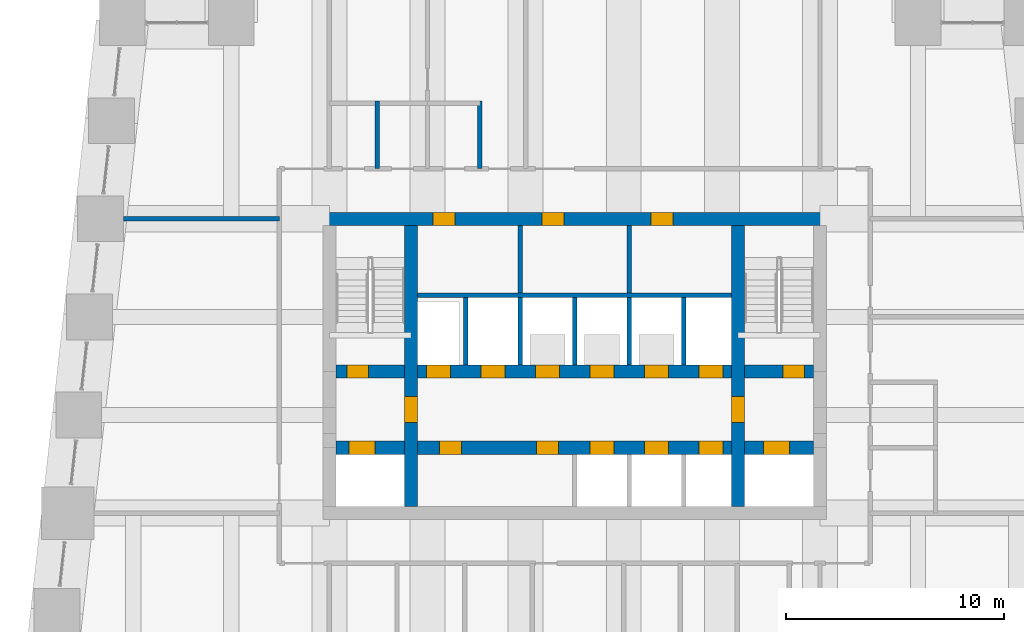
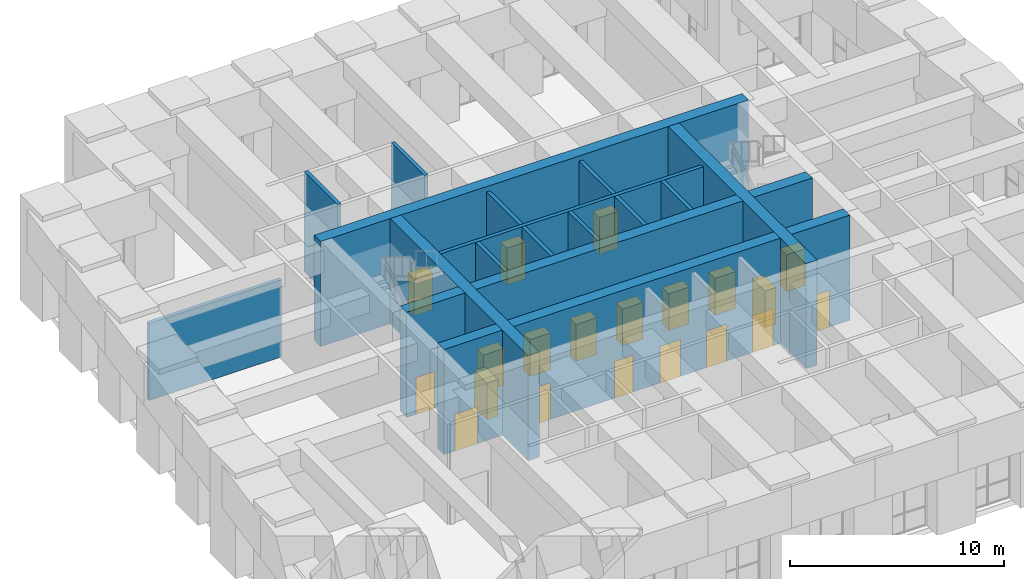
# One storey, part 12 of 17: 20 doors, 16 walls, 20 openings.
"""IFC4 building model written with IfcOpenShell, lengths in metres."""

from ifc_helpers import new_model, si_unit, direction, frame, frame_2d, origin, place, context, subcontext, project, spatial, rectangle, extrude, material, layer, layer_set, type_object, element, fill, save


model = new_model("IFC4")

# Units and contexts
model_context = context("Model", 3, precision=1e-05, world=origin(), true_north=direction((0.0, 1.0)))
body_context = subcontext(model_context, "Body", "Model", "MODEL_VIEW")
ifc_project = project(units=[si_unit("LENGTHUNIT", "METRE"), si_unit("AREAUNIT", "SQUARE_METRE"), si_unit("VOLUMEUNIT", "CUBIC_METRE"), si_unit("PLANEANGLEUNIT", "RADIAN"), si_unit("MASSUNIT", "GRAM", prefix="KILO")], contexts=[model_context])

# Site, building, storey
site_placement = place(None, origin())
site = spatial("IfcSite", under=ifc_project, at=site_placement, CompositionType="ELEMENT")
building_placement = place(site_placement, origin())
building = spatial("IfcBuilding", under=site, at=building_placement, Name="Kilele Tower Hotel", CompositionType="ELEMENT")
storey_placement = place(building_placement, frame((0.0, 0.0, 145.89990234375)))
storey = spatial("IfcBuildingStorey", under=building, at=storey_placement, Name="L38", CompositionType="ELEMENT", Elevation=145.89990234375)

# Wall, openings, doors
ifc_material_1 = material(Name="Concrete C60/75", Category="concrete")
ifc_layer_1 = layer(ifc_material_1, 0.60009765625)
ifc_layer_set_1 = layer_set([ifc_layer_1], Name="Concrete C60/75")
wall_type_1 = type_object("IfcWallType", Name="Core wall 600 C60/75", PredefinedType="SHEAR", material=ifc_layer_set_1)
wall_1_placement = place(storey_placement, frame((36.300048828125, 27.0, 0.0), z_axis=(0.0, 0.0, 1.0), x_axis=(-1.0, 0.0, 0.0)))
wall_1 = element("IfcWall", 1, at=wall_1_placement, inside=storey, type_object=wall_type_1, Name="Core wall N L38", PredefinedType="SHEAR", context=body_context, shape_type="SweptSolid", body=[
    extrude(rectangle(XDim=23.10009765625, YDim=0.60009765625, at=frame_2d((11.550048828125, 0.0))), origin(), (0.0, 0.0, 1.0), 6.0),
])
opening_1_placement = place(wall_1_placement, frame((17.050048828125, 0.0, 0.0)))
opening_1 = element("IfcOpeningElement", 2, at=opening_1_placement, cuts=wall_1, Name="Opening D6", PredefinedType="OPENING", context=body_context, shape_type="SweptSolid", body=[
    extrude(rectangle(XDim=1.0, YDim=2.10009765625, at=frame_2d((0.5, 1.050048828125))), frame((0.0, 0.31005859375, 0.0), z_axis=(0.0, -1.0, 0.0), x_axis=(1.0, 0.0, 0.0)), (0.0, 0.0, 1.0), 0.6201171875),
])
opening_2_placement = place(wall_1_placement, frame((12.050048828125, 0.0, 0.0)))
opening_2 = element("IfcOpeningElement", 3, at=opening_2_placement, cuts=wall_1, Name="Opening D6", PredefinedType="OPENING", context=body_context, shape_type="SweptSolid", body=[
    extrude(rectangle(XDim=1.0, YDim=2.10009765625, at=frame_2d((0.5, 1.050048828125))), frame((0.0, 0.31005859375, 0.0), z_axis=(0.0, -1.0, 0.0), x_axis=(1.0, 0.0, 0.0)), (0.0, 0.0, 1.0), 0.6201171875),
])
opening_3_placement = place(wall_1_placement, frame((7.050048828125, 0.0, 0.0)))
opening_3 = element("IfcOpeningElement", 4, at=opening_3_placement, cuts=wall_1, Name="Opening D6", PredefinedType="OPENING", context=body_context, shape_type="SweptSolid", body=[
    extrude(rectangle(XDim=1.0, YDim=2.10009765625, at=frame_2d((0.5, 1.050048828125))), frame((0.0, 0.31005859375, 0.0), z_axis=(0.0, -1.0, 0.0), x_axis=(1.0, 0.0, 0.0)), (0.0, 0.0, 1.0), 0.6201171875),
])
ifc_material_2 = material(Name="Timber door leaf in hardwood frame", Category="wood")
door_type_1 = type_object("IfcDoorType", Name="Riser door 1000", OperationType="SINGLE_SWING_LEFT", PredefinedType="DOOR", material=ifc_material_2)
door_1_placement = place(opening_1_placement, origin())
door_1 = element("IfcDoor", 5, at=door_1_placement, inside=storey, type_object=door_type_1, Name="Service riser door L38", OperationType="SINGLE_SWING_RIGHT", OverallHeight=2.10009765625, OverallWidth=1.0, PredefinedType="DOOR", context=body_context, shape_type="SweptSolid", body=[
    extrude(rectangle(XDim=1.0, YDim=2.10009765625, at=frame_2d((0.5, 1.050048828125))), frame((0.0, 0.2998046875, 0.0), z_axis=(0.0, -1.0, 0.0), x_axis=(1.0, 0.0, 0.0)), (0.0, 0.0, 1.0), 0.599609375),
])
fill(opening_1, door_1)
door_2_placement = place(opening_2_placement, origin())
door_2 = element("IfcDoor", 6, at=door_2_placement, inside=storey, type_object=door_type_1, Name="IT and comms room door L38", OperationType="SINGLE_SWING_RIGHT", OverallHeight=2.10009765625, OverallWidth=1.0, PredefinedType="DOOR", context=body_context, shape_type="SweptSolid", body=[
    extrude(rectangle(XDim=1.0, YDim=2.10009765625, at=frame_2d((0.5, 1.050048828125))), frame((0.0, 0.2998046875, 0.0), z_axis=(0.0, -1.0, 0.0), x_axis=(1.0, 0.0, 0.0)), (0.0, 0.0, 1.0), 0.599609375),
])
fill(opening_2, door_2)
door_3_placement = place(opening_3_placement, origin())
door_3 = element("IfcDoor", 7, at=door_3_placement, inside=storey, type_object=door_type_1, Name="Electrical riser door L38", OperationType="SINGLE_SWING_RIGHT", OverallHeight=2.10009765625, OverallWidth=1.0, PredefinedType="DOOR", context=body_context, shape_type="SweptSolid", body=[
    extrude(rectangle(XDim=1.0, YDim=2.10009765625, at=frame_2d((0.5, 1.050048828125))), frame((0.0, 0.2998046875, 0.0), z_axis=(0.0, -1.0, 0.0), x_axis=(1.0, 0.0, 0.0)), (0.0, 0.0, 1.0), 0.599609375),
])
fill(opening_3, door_3)

# Wall, opening, door
wall_2_placement = place(storey_placement, frame((17.25, 13.800048828125, 0.0), z_axis=(0.0, 0.0, 1.0), x_axis=(0.0, 1.0, 0.0)))
wall_2 = element("IfcWall", 8, at=wall_2_placement, inside=storey, type_object=wall_type_1, Name="Core wall IW L38", PredefinedType="SHEAR", context=body_context, shape_type="SweptSolid", body=[
    extrude(rectangle(XDim=12.89990234375, YDim=0.60009765625, at=frame_2d((6.449951171875, 0.0))), origin(), (0.0, 0.0, 1.0), 6.0),
])
opening_4_placement = place(wall_2_placement, frame((3.85009765625, 0.0, 0.0)))
opening_4 = element("IfcOpeningElement", 9, at=opening_4_placement, cuts=wall_2, Name="Opening D4", PredefinedType="OPENING", context=body_context, shape_type="SweptSolid", body=[
    extrude(rectangle(XDim=1.199951171875, YDim=2.10009765625, at=frame_2d((0.60009765625, 1.050048828125))), frame((0.0, 0.31005859375, 0.0), z_axis=(0.0, -1.0, 0.0), x_axis=(1.0, 0.0, 0.0)), (0.0, 0.0, 1.0), 0.6201171875),
])
ifc_material_3 = material(Name="Timber door leaf in hardwood frame", Category="wood")
door_type_2 = type_object("IfcDoorType", Name="Firefighting lobby door 1200", OperationType="SINGLE_SWING_LEFT", PredefinedType="DOOR", material=ifc_material_3)
door_4_placement = place(opening_4_placement, origin())
door_4 = element("IfcDoor", 10, at=door_4_placement, inside=storey, type_object=door_type_2, Name="Lobby door L38", OperationType="SINGLE_SWING_LEFT", OverallHeight=2.10009765625, OverallWidth=1.199951171875, PredefinedType="DOOR", context=body_context, shape_type="SweptSolid", body=[
    extrude(rectangle(XDim=1.199951171875, YDim=2.10009765625, at=frame_2d((0.60009765625, 1.050048828125))), frame((0.0, 0.2998046875, 0.0), z_axis=(0.0, -1.0, 0.0), x_axis=(1.0, 0.0, 0.0)), (0.0, 0.0, 1.0), 0.599609375),
])
fill(opening_4, door_4)

wall_3_placement = place(storey_placement, frame((32.25, 13.800048828125, 0.0), z_axis=(0.0, 0.0, 1.0), x_axis=(0.0, 1.0, 0.0)))
wall_3 = element("IfcWall", 11, at=wall_3_placement, inside=storey, type_object=wall_type_1, Name="Core wall IE L38", PredefinedType="SHEAR", context=body_context, shape_type="SweptSolid", body=[
    extrude(rectangle(XDim=12.89990234375, YDim=0.60009765625, at=frame_2d((6.449951171875, 0.0))), origin(), (0.0, 0.0, 1.0), 6.0),
])
opening_5_placement = place(wall_3_placement, frame((5.050048828125, 0.0, 0.0), z_axis=(0.0, 0.0, 1.0), x_axis=(-1.0, 0.0, 0.0)))
opening_5 = element("IfcOpeningElement", 12, at=opening_5_placement, cuts=wall_3, Name="Opening D4", PredefinedType="OPENING", context=body_context, shape_type="SweptSolid", body=[
    extrude(rectangle(XDim=1.199951171875, YDim=2.10009765625, at=frame_2d((0.60009765625, 1.050048828125))), frame((0.0, 0.31005859375, 0.0), z_axis=(0.0, -1.0, 0.0), x_axis=(1.0, 0.0, 0.0)), (0.0, 0.0, 1.0), 0.6201171875),
])
door_5_placement = place(opening_5_placement, origin())
door_5 = element("IfcDoor", 13, at=door_5_placement, inside=storey, type_object=door_type_2, Name="Lobby door L38", OperationType="SINGLE_SWING_RIGHT", OverallHeight=2.10009765625, OverallWidth=1.199951171875, PredefinedType="DOOR", context=body_context, shape_type="SweptSolid", body=[
    extrude(rectangle(XDim=1.199951171875, YDim=2.10009765625, at=frame_2d((0.60009765625, 1.050048828125))), frame((0.0, 0.2998046875, 0.0), z_axis=(0.0, -1.0, 0.0), x_axis=(1.0, 0.0, 0.0)), (0.0, 0.0, 1.0), 0.599609375),
])
fill(opening_5, door_5)

# Wall, openings, doors
wall_4_placement = place(storey_placement, frame((13.800048828125, 16.5, 0.0), z_axis=(0.0, 0.0, 1.0), x_axis=(1.0, 0.0, 0.0)))
wall_4 = element("IfcWall", 14, at=wall_4_placement, inside=storey, type_object=wall_type_1, Name="Core wall LS L38", PredefinedType="SHEAR", context=body_context, shape_type="SweptSolid", body=[
    extrude(rectangle(XDim=21.89990234375, YDim=0.60009765625, at=frame_2d((10.949951171875, 0.0))), origin(), (0.0, 0.0, 1.0), 6.0),
])
opening_6_placement = place(wall_4_placement, frame((11.64990234375, 0.0, 0.0)))
opening_6 = element("IfcOpeningElement", 15, at=opening_6_placement, cuts=wall_4, Name="Opening LD1", PredefinedType="OPENING", context=body_context, shape_type="SweptSolid", body=[
    extrude(rectangle(XDim=1.10009765625, YDim=2.10009765625, at=frame_2d((0.550048828125, 1.050048828125))), frame((0.0, 0.31005859375, 0.0), z_axis=(0.0, -1.0, 0.0), x_axis=(1.0, 0.0, 0.0)), (0.0, 0.0, 1.0), 0.6201171875),
])
opening_7_placement = place(wall_4_placement, frame((14.14990234375, 0.0, 0.0)))
opening_7 = element("IfcOpeningElement", 16, at=opening_7_placement, cuts=wall_4, Name="Opening LD1", PredefinedType="OPENING", context=body_context, shape_type="SweptSolid", body=[
    extrude(rectangle(XDim=1.10009765625, YDim=2.10009765625, at=frame_2d((0.550048828125, 1.050048828125))), frame((0.0, 0.31005859375, 0.0), z_axis=(0.0, -1.0, 0.0), x_axis=(1.0, 0.0, 0.0)), (0.0, 0.0, 1.0), 0.6201171875),
])
opening_8_placement = place(wall_4_placement, frame((16.64990234375, 0.0, 0.0)))
opening_8 = element("IfcOpeningElement", 17, at=opening_8_placement, cuts=wall_4, Name="Opening LD1", PredefinedType="OPENING", context=body_context, shape_type="SweptSolid", body=[
    extrude(rectangle(XDim=1.10009765625, YDim=2.10009765625, at=frame_2d((0.550048828125, 1.050048828125))), frame((0.0, 0.31005859375, 0.0), z_axis=(0.0, -1.0, 0.0), x_axis=(1.0, 0.0, 0.0)), (0.0, 0.0, 1.0), 0.6201171875),
])
opening_9_placement = place(wall_4_placement, frame((5.75, 0.0, 0.0), z_axis=(0.0, 0.0, 1.0), x_axis=(-1.0, 0.0, 0.0)))
opening_9 = element("IfcOpeningElement", 18, at=opening_9_placement, cuts=wall_4, Name="Opening D11", PredefinedType="OPENING", context=body_context, shape_type="SweptSolid", body=[
    extrude(rectangle(XDim=1.0, YDim=2.10009765625, at=frame_2d((0.5, 1.050048828125))), frame((0.0, 0.31005859375, 0.0), z_axis=(0.0, -1.0, 0.0), x_axis=(1.0, 0.0, 0.0)), (0.0, 0.0, 1.0), 0.6201171875),
])
opening_10_placement = place(wall_4_placement, frame((10.199951171875, 0.0, 0.0), z_axis=(0.0, 0.0, 1.0), x_axis=(-1.0, 0.0, 0.0)))
opening_10 = element("IfcOpeningElement", 19, at=opening_10_placement, cuts=wall_4, Name="Opening D11", PredefinedType="OPENING", context=body_context, shape_type="SweptSolid", body=[
    extrude(rectangle(XDim=1.0, YDim=2.10009765625, at=frame_2d((0.5, 1.050048828125))), frame((0.0, 0.31005859375, 0.0), z_axis=(0.0, -1.0, 0.0), x_axis=(1.0, 0.0, 0.0)), (0.0, 0.0, 1.0), 0.6201171875),
])
opening_11_placement = place(wall_4_placement, frame((0.60009765625, 0.0, 0.0)))
opening_11 = element("IfcOpeningElement", 20, at=opening_11_placement, cuts=wall_4, Name="Opening LD2", PredefinedType="OPENING", context=body_context, shape_type="SweptSolid", body=[
    extrude(rectangle(XDim=1.199951171875, YDim=2.10009765625, at=frame_2d((0.60009765625, 1.050048828125))), frame((0.0, 0.31005859375, 0.0), z_axis=(0.0, -1.0, 0.0), x_axis=(1.0, 0.0, 0.0)), (0.0, 0.0, 1.0), 0.6201171875),
])
opening_12_placement = place(wall_4_placement, frame((19.60009765625, 0.0, 0.0)))
opening_12 = element("IfcOpeningElement", 21, at=opening_12_placement, cuts=wall_4, Name="Opening LD2", PredefinedType="OPENING", context=body_context, shape_type="SweptSolid", body=[
    extrude(rectangle(XDim=1.199951171875, YDim=2.10009765625, at=frame_2d((0.60009765625, 1.050048828125))), frame((0.0, 0.31005859375, 0.0), z_axis=(0.0, -1.0, 0.0), x_axis=(1.0, 0.0, 0.0)), (0.0, 0.0, 1.0), 0.6201171875),
])
ifc_material_4 = material(Name="Timber door leaf in hardwood frame", Category="wood")
door_type_3 = type_object("IfcDoorType", Name="Core store door 1000", OperationType="SINGLE_SWING_LEFT", PredefinedType="DOOR", material=ifc_material_4)
door_6_placement = place(opening_9_placement, origin())
door_6 = element("IfcDoor", 22, at=door_6_placement, inside=storey, type_object=door_type_3, Name="Core room door L1 L38", OperationType="SINGLE_SWING_RIGHT", OverallHeight=2.10009765625, OverallWidth=1.0, PredefinedType="DOOR", context=body_context, shape_type="SweptSolid", body=[
    extrude(rectangle(XDim=1.0, YDim=2.10009765625, at=frame_2d((0.5, 1.050048828125))), frame((0.0, 0.2998046875, 0.0), z_axis=(0.0, -1.0, 0.0), x_axis=(1.0, 0.0, 0.0)), (0.0, 0.0, 1.0), 0.599609375),
])
fill(opening_9, door_6)
door_7_placement = place(opening_10_placement, origin())
door_7 = element("IfcDoor", 23, at=door_7_placement, inside=storey, type_object=door_type_3, Name="Core room door L3 L38", OperationType="SINGLE_SWING_LEFT", OverallHeight=2.10009765625, OverallWidth=1.0, PredefinedType="DOOR", context=body_context, shape_type="SweptSolid", body=[
    extrude(rectangle(XDim=1.0, YDim=2.10009765625, at=frame_2d((0.5, 1.050048828125))), frame((0.0, 0.2998046875, 0.0), z_axis=(0.0, -1.0, 0.0), x_axis=(1.0, 0.0, 0.0)), (0.0, 0.0, 1.0), 0.599609375),
])
fill(opening_10, door_7)
ifc_material_5 = material(Name="Steel lift landing door", Category="steel")
door_type_4 = type_object("IfcDoorType", Name="Firefighting lift landing door 1200", OperationType="SLIDING_TO_LEFT", PredefinedType="DOOR", material=ifc_material_5)
door_8_placement = place(opening_11_placement, origin())
door_8 = element("IfcDoor", 24, at=door_8_placement, inside=storey, type_object=door_type_4, Name="Landing door FFW L38", OperationType="SLIDING_TO_LEFT", OverallHeight=2.10009765625, OverallWidth=1.199951171875, PredefinedType="DOOR", context=body_context, shape_type="SweptSolid", body=[
    extrude(rectangle(XDim=1.199951171875, YDim=2.10009765625, at=frame_2d((0.60009765625, 1.050048828125))), frame((0.0, 0.2998046875, 0.0), z_axis=(0.0, -1.0, 0.0), x_axis=(1.0, 0.0, 0.0)), (0.0, 0.0, 1.0), 0.599609375),
])
fill(opening_11, door_8)
door_9_placement = place(opening_12_placement, origin())
door_9 = element("IfcDoor", 25, at=door_9_placement, inside=storey, type_object=door_type_4, Name="Landing door FFE L38", OperationType="SLIDING_TO_LEFT", OverallHeight=2.10009765625, OverallWidth=1.199951171875, PredefinedType="DOOR", context=body_context, shape_type="SweptSolid", body=[
    extrude(rectangle(XDim=1.199951171875, YDim=2.10009765625, at=frame_2d((0.60009765625, 1.050048828125))), frame((0.0, 0.2998046875, 0.0), z_axis=(0.0, -1.0, 0.0), x_axis=(1.0, 0.0, 0.0)), (0.0, 0.0, 1.0), 0.599609375),
])
fill(opening_12, door_9)
ifc_material_6 = material(Name="Steel lift landing door", Category="steel")
door_type_5 = type_object("IfcDoorType", Name="Lift landing door 1100", OperationType="SLIDING_TO_LEFT", PredefinedType="DOOR", material=ifc_material_6)
door_10_placement = place(opening_6_placement, origin())
door_10 = element("IfcDoor", 26, at=door_10_placement, inside=storey, type_object=door_type_5, Name="Landing door M1 L38", OperationType="SLIDING_TO_LEFT", OverallHeight=2.10009765625, OverallWidth=1.10009765625, PredefinedType="DOOR", context=body_context, shape_type="SweptSolid", body=[
    extrude(rectangle(XDim=1.10009765625, YDim=2.10009765625, at=frame_2d((0.550048828125, 1.050048828125))), frame((0.0, 0.2998046875, 0.0), z_axis=(0.0, -1.0, 0.0), x_axis=(1.0, 0.0, 0.0)), (0.0, 0.0, 1.0), 0.599609375),
])
fill(opening_6, door_10)
door_11_placement = place(opening_7_placement, origin())
door_11 = element("IfcDoor", 27, at=door_11_placement, inside=storey, type_object=door_type_5, Name="Landing door M2 L38", OperationType="SLIDING_TO_LEFT", OverallHeight=2.10009765625, OverallWidth=1.10009765625, PredefinedType="DOOR", context=body_context, shape_type="SweptSolid", body=[
    extrude(rectangle(XDim=1.10009765625, YDim=2.10009765625, at=frame_2d((0.550048828125, 1.050048828125))), frame((0.0, 0.2998046875, 0.0), z_axis=(0.0, -1.0, 0.0), x_axis=(1.0, 0.0, 0.0)), (0.0, 0.0, 1.0), 0.599609375),
])
fill(opening_7, door_11)
door_12_placement = place(opening_8_placement, origin())
door_12 = element("IfcDoor", 28, at=door_12_placement, inside=storey, type_object=door_type_5, Name="Landing door M3 L38", OperationType="SLIDING_TO_LEFT", OverallHeight=2.10009765625, OverallWidth=1.10009765625, PredefinedType="DOOR", context=body_context, shape_type="SweptSolid", body=[
    extrude(rectangle(XDim=1.10009765625, YDim=2.10009765625, at=frame_2d((0.550048828125, 1.050048828125))), frame((0.0, 0.2998046875, 0.0), z_axis=(0.0, -1.0, 0.0), x_axis=(1.0, 0.0, 0.0)), (0.0, 0.0, 1.0), 0.599609375),
])
fill(opening_8, door_12)

wall_5_placement = place(storey_placement, frame((13.800048828125, 20.0, 0.0), z_axis=(0.0, 0.0, 1.0), x_axis=(1.0, 0.0, 0.0)))
wall_5 = element("IfcWall", 29, at=wall_5_placement, inside=storey, type_object=wall_type_1, Name="Core wall LN L38", PredefinedType="SHEAR", context=body_context, shape_type="SweptSolid", body=[
    extrude(rectangle(XDim=21.89990234375, YDim=0.60009765625, at=frame_2d((10.949951171875, 0.0))), origin(), (0.0, 0.0, 1.0), 6.0),
])
opening_13_placement = place(wall_5_placement, frame((0.5, 0.0, 0.0)))
opening_13 = element("IfcOpeningElement", 30, at=opening_13_placement, cuts=wall_5, Name="Opening D5", PredefinedType="OPENING", context=body_context, shape_type="SweptSolid", body=[
    extrude(rectangle(XDim=1.0, YDim=2.10009765625, at=frame_2d((0.5, 1.050048828125))), frame((0.0, 0.31005859375, 0.0), z_axis=(0.0, -1.0, 0.0), x_axis=(1.0, 0.0, 0.0)), (0.0, 0.0, 1.0), 0.6201171875),
])
opening_14_placement = place(wall_5_placement, frame((20.5, 0.0, 0.0)))
opening_14 = element("IfcOpeningElement", 31, at=opening_14_placement, cuts=wall_5, Name="Opening D5", PredefinedType="OPENING", context=body_context, shape_type="SweptSolid", body=[
    extrude(rectangle(XDim=1.0, YDim=2.10009765625, at=frame_2d((0.5, 1.050048828125))), frame((0.0, 0.31005859375, 0.0), z_axis=(0.0, -1.0, 0.0), x_axis=(1.0, 0.0, 0.0)), (0.0, 0.0, 1.0), 0.6201171875),
])
opening_15_placement = place(wall_5_placement, frame((4.14990234375, 0.0, 0.0)))
opening_15 = element("IfcOpeningElement", 32, at=opening_15_placement, cuts=wall_5, Name="Opening LD1", PredefinedType="OPENING", context=body_context, shape_type="SweptSolid", body=[
    extrude(rectangle(XDim=1.10009765625, YDim=2.10009765625, at=frame_2d((0.550048828125, 1.050048828125))), frame((0.0, 0.31005859375, 0.0), z_axis=(0.0, -1.0, 0.0), x_axis=(1.0, 0.0, 0.0)), (0.0, 0.0, 1.0), 0.6201171875),
])
opening_16_placement = place(wall_5_placement, frame((6.64990234375, 0.0, 0.0)))
opening_16 = element("IfcOpeningElement", 33, at=opening_16_placement, cuts=wall_5, Name="Opening LD1", PredefinedType="OPENING", context=body_context, shape_type="SweptSolid", body=[
    extrude(rectangle(XDim=1.10009765625, YDim=2.10009765625, at=frame_2d((0.550048828125, 1.050048828125))), frame((0.0, 0.31005859375, 0.0), z_axis=(0.0, -1.0, 0.0), x_axis=(1.0, 0.0, 0.0)), (0.0, 0.0, 1.0), 0.6201171875),
])
opening_17_placement = place(wall_5_placement, frame((9.14990234375, 0.0, 0.0)))
opening_17 = element("IfcOpeningElement", 34, at=opening_17_placement, cuts=wall_5, Name="Opening LD1", PredefinedType="OPENING", context=body_context, shape_type="SweptSolid", body=[
    extrude(rectangle(XDim=1.10009765625, YDim=2.10009765625, at=frame_2d((0.550048828125, 1.050048828125))), frame((0.0, 0.31005859375, 0.0), z_axis=(0.0, -1.0, 0.0), x_axis=(1.0, 0.0, 0.0)), (0.0, 0.0, 1.0), 0.6201171875),
])
opening_18_placement = place(wall_5_placement, frame((11.64990234375, 0.0, 0.0)))
opening_18 = element("IfcOpeningElement", 35, at=opening_18_placement, cuts=wall_5, Name="Opening LD1", PredefinedType="OPENING", context=body_context, shape_type="SweptSolid", body=[
    extrude(rectangle(XDim=1.10009765625, YDim=2.10009765625, at=frame_2d((0.550048828125, 1.050048828125))), frame((0.0, 0.31005859375, 0.0), z_axis=(0.0, -1.0, 0.0), x_axis=(1.0, 0.0, 0.0)), (0.0, 0.0, 1.0), 0.6201171875),
])
opening_19_placement = place(wall_5_placement, frame((14.14990234375, 0.0, 0.0)))
opening_19 = element("IfcOpeningElement", 36, at=opening_19_placement, cuts=wall_5, Name="Opening LD1", PredefinedType="OPENING", context=body_context, shape_type="SweptSolid", body=[
    extrude(rectangle(XDim=1.10009765625, YDim=2.10009765625, at=frame_2d((0.550048828125, 1.050048828125))), frame((0.0, 0.31005859375, 0.0), z_axis=(0.0, -1.0, 0.0), x_axis=(1.0, 0.0, 0.0)), (0.0, 0.0, 1.0), 0.6201171875),
])
opening_20_placement = place(wall_5_placement, frame((16.64990234375, 0.0, 0.0)))
opening_20 = element("IfcOpeningElement", 37, at=opening_20_placement, cuts=wall_5, Name="Opening LD1", PredefinedType="OPENING", context=body_context, shape_type="SweptSolid", body=[
    extrude(rectangle(XDim=1.10009765625, YDim=2.10009765625, at=frame_2d((0.550048828125, 1.050048828125))), frame((0.0, 0.31005859375, 0.0), z_axis=(0.0, -1.0, 0.0), x_axis=(1.0, 0.0, 0.0)), (0.0, 0.0, 1.0), 0.6201171875),
])
door_13_placement = place(opening_15_placement, origin())
door_13 = element("IfcDoor", 38, at=door_13_placement, inside=storey, type_object=door_type_5, Name="Landing door S1 L38", OperationType="SLIDING_TO_LEFT", OverallHeight=2.10009765625, OverallWidth=1.10009765625, PredefinedType="DOOR", context=body_context, shape_type="SweptSolid", body=[
    extrude(rectangle(XDim=1.10009765625, YDim=2.10009765625, at=frame_2d((0.550048828125, 1.050048828125))), frame((0.0, 0.2998046875, 0.0), z_axis=(0.0, -1.0, 0.0), x_axis=(1.0, 0.0, 0.0)), (0.0, 0.0, 1.0), 0.599609375),
])
fill(opening_15, door_13)
door_14_placement = place(opening_16_placement, origin())
door_14 = element("IfcDoor", 39, at=door_14_placement, inside=storey, type_object=door_type_5, Name="Landing door S2 L38", OperationType="SLIDING_TO_LEFT", OverallHeight=2.10009765625, OverallWidth=1.10009765625, PredefinedType="DOOR", context=body_context, shape_type="SweptSolid", body=[
    extrude(rectangle(XDim=1.10009765625, YDim=2.10009765625, at=frame_2d((0.550048828125, 1.050048828125))), frame((0.0, 0.2998046875, 0.0), z_axis=(0.0, -1.0, 0.0), x_axis=(1.0, 0.0, 0.0)), (0.0, 0.0, 1.0), 0.599609375),
])
fill(opening_16, door_14)
door_15_placement = place(opening_17_placement, origin())
door_15 = element("IfcDoor", 40, at=door_15_placement, inside=storey, type_object=door_type_5, Name="Landing door H1 L38", OperationType="SLIDING_TO_LEFT", OverallHeight=2.10009765625, OverallWidth=1.10009765625, PredefinedType="DOOR", context=body_context, shape_type="SweptSolid", body=[
    extrude(rectangle(XDim=1.10009765625, YDim=2.10009765625, at=frame_2d((0.550048828125, 1.050048828125))), frame((0.0, 0.2998046875, 0.0), z_axis=(0.0, -1.0, 0.0), x_axis=(1.0, 0.0, 0.0)), (0.0, 0.0, 1.0), 0.599609375),
])
fill(opening_17, door_15)
door_16_placement = place(opening_18_placement, origin())
door_16 = element("IfcDoor", 41, at=door_16_placement, inside=storey, type_object=door_type_5, Name="Landing door H2 L38", OperationType="SLIDING_TO_LEFT", OverallHeight=2.10009765625, OverallWidth=1.10009765625, PredefinedType="DOOR", context=body_context, shape_type="SweptSolid", body=[
    extrude(rectangle(XDim=1.10009765625, YDim=2.10009765625, at=frame_2d((0.550048828125, 1.050048828125))), frame((0.0, 0.2998046875, 0.0), z_axis=(0.0, -1.0, 0.0), x_axis=(1.0, 0.0, 0.0)), (0.0, 0.0, 1.0), 0.599609375),
])
fill(opening_18, door_16)
door_17_placement = place(opening_19_placement, origin())
door_17 = element("IfcDoor", 42, at=door_17_placement, inside=storey, type_object=door_type_5, Name="Landing door H3 L38", OperationType="SLIDING_TO_LEFT", OverallHeight=2.10009765625, OverallWidth=1.10009765625, PredefinedType="DOOR", context=body_context, shape_type="SweptSolid", body=[
    extrude(rectangle(XDim=1.10009765625, YDim=2.10009765625, at=frame_2d((0.550048828125, 1.050048828125))), frame((0.0, 0.2998046875, 0.0), z_axis=(0.0, -1.0, 0.0), x_axis=(1.0, 0.0, 0.0)), (0.0, 0.0, 1.0), 0.599609375),
])
fill(opening_19, door_17)
door_18_placement = place(opening_20_placement, origin())
door_18 = element("IfcDoor", 43, at=door_18_placement, inside=storey, type_object=door_type_5, Name="Landing door G1 L38", OperationType="SLIDING_TO_LEFT", OverallHeight=2.10009765625, OverallWidth=1.10009765625, PredefinedType="DOOR", context=body_context, shape_type="SweptSolid", body=[
    extrude(rectangle(XDim=1.10009765625, YDim=2.10009765625, at=frame_2d((0.550048828125, 1.050048828125))), frame((0.0, 0.2998046875, 0.0), z_axis=(0.0, -1.0, 0.0), x_axis=(1.0, 0.0, 0.0)), (0.0, 0.0, 1.0), 0.599609375),
])
fill(opening_20, door_18)
ifc_material_7 = material(Name="Timber door leaf in hardwood frame", Category="wood")
door_type_6 = type_object("IfcDoorType", Name="Stair door 1000", OperationType="SINGLE_SWING_LEFT", PredefinedType="DOOR", material=ifc_material_7)
door_19_placement = place(opening_13_placement, origin())
door_19 = element("IfcDoor", 44, at=door_19_placement, inside=storey, type_object=door_type_6, Name="Stair 1 door L38", OperationType="SINGLE_SWING_LEFT", OverallHeight=2.10009765625, OverallWidth=1.0, PredefinedType="DOOR", context=body_context, shape_type="SweptSolid", body=[
    extrude(rectangle(XDim=1.0, YDim=2.10009765625, at=frame_2d((0.5, 1.050048828125))), frame((0.0, 0.2998046875, 0.0), z_axis=(0.0, -1.0, 0.0), x_axis=(1.0, 0.0, 0.0)), (0.0, 0.0, 1.0), 0.599609375),
])
fill(opening_13, door_19)
door_20_placement = place(opening_14_placement, origin())
door_20 = element("IfcDoor", 45, at=door_20_placement, inside=storey, type_object=door_type_6, Name="Stair 2 door L38", OperationType="SINGLE_SWING_RIGHT", OverallHeight=2.10009765625, OverallWidth=1.0, PredefinedType="DOOR", context=body_context, shape_type="SweptSolid", body=[
    extrude(rectangle(XDim=1.0, YDim=2.10009765625, at=frame_2d((0.5, 1.050048828125))), frame((0.0, 0.2998046875, 0.0), z_axis=(0.0, -1.0, 0.0), x_axis=(1.0, 0.0, 0.0)), (0.0, 0.0, 1.0), 0.599609375),
])
fill(opening_14, door_20)

# Walls
ifc_material_8 = material(Name="Blockwork, plastered both sides", Category="masonry")
ifc_layer_2 = layer(ifc_material_8, 0.199951171875)
ifc_layer_set_2 = layer_set([ifc_layer_2], Name="Blockwork, plastered both sides")
wall_type_2 = type_object("IfcWallType", Name="Partition wall 200", PredefinedType="PARTITIONING", material=ifc_layer_set_2)
wall_6_placement = place(storey_placement, frame((11.199951171875, 27.0, 0.0), z_axis=(0.0, 0.0, 1.0), x_axis=(-1.0, 0.0, 0.0)))
element("IfcWall", 46, at=wall_6_placement, inside=storey, type_object=wall_type_2, Name="Partition wall 200 L38", PredefinedType="PARTITIONING", context=body_context, shape_type="SweptSolid", body=[
    extrude(rectangle(XDim=7.13916015625, YDim=0.199951171875, at=frame_2d((3.569580078125, 0.0))), origin(), (0.0, 0.0, 1.0), 4.400146484375),
])
for number, where, z_axis, x_axis, name in (
    (47, (15.699951171875, 29.300048828125, 0.0), (0.0, 0.0, 1.0), (0.0, 1.0, 0.0), "Partition wall 200 L38"),
    (48, (20.39990234375, 29.300048828125, 0.0), (0.0, 0.0, 1.0), (0.0, 1.0, 0.0), "Partition wall 200 L38"),
):
    element("IfcWall", number, at=place(storey_placement, frame(where, z_axis=z_axis, x_axis=x_axis)), inside=storey, type_object=wall_type_2, Name=name, PredefinedType="PARTITIONING", context=body_context, shape_type="SweptSolid", body=[
        extrude(rectangle(XDim=3.099853515625, YDim=0.199951171875, at=frame_2d((1.5498046875, 0.0))), origin(), (0.0, 0.0, 1.0), 5.7001953125),
    ])
ifc_material_9 = material(Name="Blockwork, fire-rated", Category="masonry")
ifc_layer_3 = layer(ifc_material_9, 0.199951171875)
ifc_layer_set_3 = layer_set([ifc_layer_3], Name="Blockwork, fire-rated")
wall_type_3 = type_object("IfcWallType", Name="Shaft wall 200", PredefinedType="PARTITIONING", material=ifc_layer_set_3)
for number, where, z_axis, x_axis, name in (
    (49, (19.75, 20.300048828125, 0.0), (0.0, 0.0, 1.0), (0.0, 1.0, 0.0), "Shaft wall 200 L38"),
    (50, (22.25, 20.300048828125, 0.0), (0.0, 0.0, 1.0), (0.0, 1.0, 0.0), "Shaft wall 200 L38"),
    (51, (24.75, 20.300048828125, 0.0), (0.0, 0.0, 1.0), (0.0, 1.0, 0.0), "Shaft wall 200 L38"),
    (52, (27.25, 20.300048828125, 0.0), (0.0, 0.0, 1.0), (0.0, 1.0, 0.0), "Shaft wall 200 L38"),
    (53, (29.75, 20.300048828125, 0.0), (0.0, 0.0, 1.0), (0.0, 1.0, 0.0), "Shaft wall 200 L38"),
):
    element("IfcWall", number, at=place(storey_placement, frame(where, z_axis=z_axis, x_axis=x_axis)), inside=storey, type_object=wall_type_3, Name=name, PredefinedType="PARTITIONING", context=body_context, shape_type="SweptSolid", body=[
        extrude(rectangle(XDim=3.099853515625, YDim=0.199951171875, at=frame_2d((1.5498046875, 0.0))), origin(), (0.0, 0.0, 1.0), 5.7001953125),
    ])
wall_7_placement = place(storey_placement, frame((17.550048828125, 23.5, 0.0), z_axis=(0.0, 0.0, 1.0), x_axis=(1.0, 0.0, 0.0)))
element("IfcWall", 54, at=wall_7_placement, inside=storey, type_object=wall_type_3, Name="Shaft wall 200 L38", PredefinedType="PARTITIONING", context=body_context, shape_type="SweptSolid", body=[
    extrude(rectangle(XDim=14.39990234375, YDim=0.199951171875, at=frame_2d((7.199951171875, 0.0))), origin(), (0.0, 0.0, 1.0), 5.7001953125),
])
for number, where, z_axis, x_axis, name in (
    (55, (22.25, 23.60009765625, 0.0), (0.0, 0.0, 1.0), (0.0, 1.0, 0.0), "Shaft wall 200 L38"),
    (56, (27.25, 23.60009765625, 0.0), (0.0, 0.0, 1.0), (0.0, 1.0, 0.0), "Shaft wall 200 L38"),
):
    element("IfcWall", number, at=place(storey_placement, frame(where, z_axis=z_axis, x_axis=x_axis)), inside=storey, type_object=wall_type_3, Name=name, PredefinedType="PARTITIONING", context=body_context, shape_type="SweptSolid", body=[
        extrude(rectangle(XDim=3.099853515625, YDim=0.199951171875, at=frame_2d((1.5498046875, 0.0))), origin(), (0.0, 0.0, 1.0), 5.7001953125),
    ])

save(model, "model.ifc")
